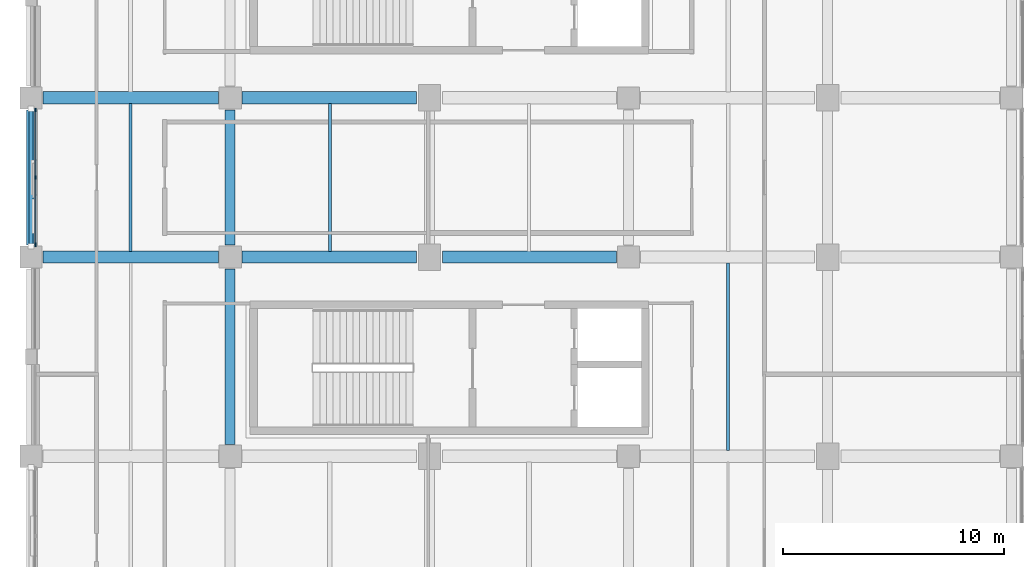
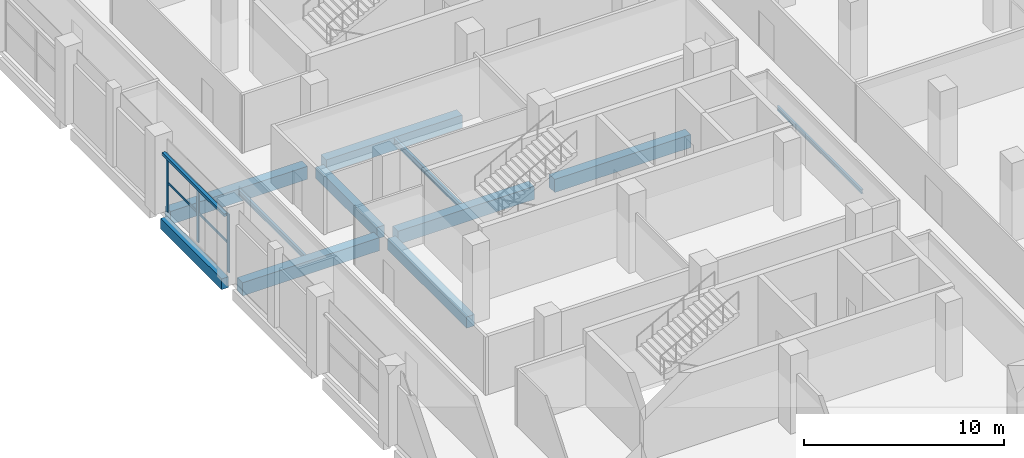
# One storey, part 14 of 111: 11 beams, 6 members, 1 element without a shape of its own.
"""IFC4 building model written with IfcOpenShell, lengths in metres."""

from ifc_helpers import new_model, si_unit, direction, frame, origin, origin_2d, place, context, subcontext, project, spatial, rectangle, hollow_rectangle, i_section, extrude, material, material_profile, profile_set, type_object, element, aggregate, save


model = new_model("IFC4")

# Units and contexts
model_context = context("Model", 3, precision=1e-05, world=origin(), true_north=direction((0.0, 1.0)))
body_context = subcontext(model_context, "Body", "Model", "MODEL_VIEW")
ifc_project = project(units=[si_unit("LENGTHUNIT", "METRE"), si_unit("AREAUNIT", "SQUARE_METRE"), si_unit("VOLUMEUNIT", "CUBIC_METRE"), si_unit("PLANEANGLEUNIT", "RADIAN"), si_unit("MASSUNIT", "GRAM", prefix="KILO"), si_unit("THERMODYNAMICTEMPERATUREUNIT", "KELVIN"), si_unit("POWERUNIT", "WATT")], contexts=[model_context])

# Site, building, storey
site_placement = place(None, origin())
site = spatial("IfcSite", under=ifc_project, at=site_placement, CompositionType="ELEMENT")
building_placement = place(site_placement, origin())
building = spatial("IfcBuilding", under=site, at=building_placement, Name="Sindhuravela Promenade Stadium", CompositionType="ELEMENT")
storey_placement = place(building_placement, frame((0.0, 0.0, 9.60009765625)))
storey = spatial("IfcBuildingStorey", under=building, at=storey_placement, Name="L02", CompositionType="ELEMENT", Elevation=9.60009765625)

# Curtain wall, members
ifc_material_1 = material(Name="Anodised architectural aluminium 6063-T6", Category="aluminium")
curtain_wall_type = type_object("IfcCurtainWallType", Name="CW-MOD-1", PredefinedType="NOTDEFINED", material=ifc_material_1)
curtain_wall_placement = place(storey_placement, origin())
curtain_wall = element("IfcCurtainWall", 1, at=curtain_wall_placement, inside=storey, type_object=curtain_wall_type, Name="Bronze curtain wall CW-WEST-L02-008", PredefinedType="NOTDEFINED")
ifc_material_profile_1 = material_profile(ifc_material_1, rectangle(XDim=0.06005859375, YDim=0.179931640625, at=origin_2d()), Name="ALU M60x180")
ifc_profile_set_1 = profile_set([ifc_material_profile_1], Name="Anodised architectural aluminium 6063-T6")
member_type_1 = type_object("IfcMemberType", Name="CW-MUL-3", PredefinedType="MULLION", material=ifc_profile_set_1)
member_1_placement = place(storey_placement, frame((0.199951171875, 77.949951171875, 0.0), z_axis=(0.0, 0.0, 1.0), x_axis=(1.0, 0.0, 0.0)))
member_1 = element("IfcMember", 2, at=member_1_placement, type_object=member_type_1, Name="Curtain wall mullion CW-WEST-L02-008-M1", PredefinedType="MULLION", context=body_context, shape_type="SweptSolid", body=[
    extrude(rectangle(XDim=0.06005859375, YDim=0.179931640625, at=origin_2d()), origin(), (0.0, 0.0, 1.0), 3.579833984375),
])
member_2_placement = place(storey_placement, frame((0.199951171875, 81.0, 0.0), z_axis=(0.0, 0.0, 1.0), x_axis=(1.0, 0.0, 0.0)))
member_2 = element("IfcMember", 3, at=member_2_placement, type_object=member_type_1, Name="Curtain wall mullion CW-WEST-L02-008-M2", PredefinedType="MULLION", context=body_context, shape_type="SweptSolid", body=[
    extrude(rectangle(XDim=0.06005859375, YDim=0.179931640625, at=origin_2d()), origin(), (0.0, 0.0, 1.0), 3.579833984375),
])
member_3_placement = place(storey_placement, frame((0.199951171875, 84.050048828125, 0.0), z_axis=(0.0, 0.0, 1.0), x_axis=(1.0, 0.0, 0.0)))
member_3 = element("IfcMember", 4, at=member_3_placement, type_object=member_type_1, Name="Curtain wall mullion CW-WEST-L02-008-M3", PredefinedType="MULLION", context=body_context, shape_type="SweptSolid", body=[
    extrude(rectangle(XDim=0.06005859375, YDim=0.179931640625, at=origin_2d()), origin(), (0.0, 0.0, 1.0), 3.579833984375),
])
ifc_material_profile_2 = material_profile(ifc_material_1, rectangle(XDim=0.06005859375, YDim=0.1298828125, at=origin_2d()), Name="ALU T60x130")
ifc_profile_set_2 = profile_set([ifc_material_profile_2], Name="Anodised architectural aluminium 6063-T6")
member_type_2 = type_object("IfcMemberType", Name="CW-TRN-3", PredefinedType="USERDEFINED", material=ifc_profile_set_2)
member_4_placement = place(storey_placement, frame((0.199951171875, 77.925048828125, 1.789794921875), z_axis=(0.0, 1.0, 0.0), x_axis=(-1.0, 0.0, 0.0)))
member_4 = element("IfcMember", 5, at=member_4_placement, type_object=member_type_2, Name="Curtain wall transom CW-WEST-L02-008-T1", ObjectType="TRANSOM", PredefinedType="USERDEFINED", context=body_context, shape_type="SweptSolid", body=[
    extrude(rectangle(XDim=0.06005859375, YDim=0.1298828125, at=origin_2d()), origin(), (0.0, 0.0, 1.0), 6.14990234375),
])
member_5_placement = place(storey_placement, frame((0.199951171875, 77.925048828125, 3.5), z_axis=(0.0, 1.0, 0.0), x_axis=(-1.0, 0.0, 0.0)))
member_5 = element("IfcMember", 6, at=member_5_placement, type_object=member_type_2, Name="Curtain wall transom CW-WEST-L02-008-T2", ObjectType="TRANSOM", PredefinedType="USERDEFINED", context=body_context, shape_type="SweptSolid", body=[
    extrude(rectangle(XDim=0.06005859375, YDim=0.1298828125, at=origin_2d()), origin(), (0.0, 0.0, 1.0), 6.14990234375),
])
aggregate(curtain_wall, [member_1, member_2, member_3, member_4, member_5])

# Beams
ifc_material_2 = material(Name="Concrete M40", Category="concrete")
ifc_material_profile_3 = material_profile(ifc_material_2, rectangle(XDim=0.39990234375, YDim=0.64990234375, at=origin_2d()), Name="RC 400x650")
ifc_profile_set_3 = profile_set([ifc_material_profile_3], Name="Concrete M40")
beam_type_1 = type_object("IfcBeamType", Name="RC-BM-400x650", PredefinedType="SPANDREL", material=ifc_profile_set_3)
beam_1_placement = place(storey_placement, frame((0.0, 77.93994140625, -0.60498046875), z_axis=(0.0, 1.0, 0.0), x_axis=(-1.0, 0.0, 0.0)))
element("IfcBeam", 7, at=beam_1_placement, inside=storey, type_object=beam_type_1, Name="Primary beam SP01 WEST L02", PredefinedType="SPANDREL", context=body_context, shape_type="SweptSolid", body=[
    extrude(rectangle(XDim=0.39990234375, YDim=0.64990234375, at=origin_2d()), origin(), (0.0, 0.0, 1.0), 6.1201171875),
])
ifc_material_profile_4 = material_profile(ifc_material_2, rectangle(XDim=0.449951171875, YDim=0.699951171875, at=origin_2d()), Name="RC 450x700")
ifc_profile_set_4 = profile_set([ifc_material_profile_4], Name="Concrete M40")
beam_type_2 = type_object("IfcBeamType", Name="RC-BM-450x700", PredefinedType="BEAM", material=ifc_profile_set_4)
beam_2_placement = place(storey_placement, frame((9.0, 68.93994140625, -0.630126953125), z_axis=(0.0, 1.0, 0.0), x_axis=(-1.0, 0.0, 0.0)))
element("IfcBeam", 8, at=beam_2_placement, inside=storey, type_object=beam_type_2, Name="Primary beam GB07 WEST L02", PredefinedType="BEAM", context=body_context, shape_type="SweptSolid", body=[
    extrude(rectangle(XDim=0.449951171875, YDim=0.699951171875, at=origin_2d()), origin(), (0.0, 0.0, 1.0), 7.920166015625),
])
beam_3_placement = place(storey_placement, frame((9.0, 77.93994140625, -0.630126953125), z_axis=(0.0, 1.0, 0.0), x_axis=(-1.0, 0.0, 0.0)))
element("IfcBeam", 9, at=beam_3_placement, inside=storey, type_object=beam_type_2, Name="Primary beam GB07 WEST L02", PredefinedType="BEAM", context=body_context, shape_type="SweptSolid", body=[
    extrude(rectangle(XDim=0.449951171875, YDim=0.699951171875, at=origin_2d()), origin(), (0.0, 0.0, 1.0), 6.1201171875),
])
ifc_material_profile_5 = material_profile(ifc_material_2, rectangle(XDim=0.550048828125, YDim=0.800048828125, at=origin_2d()), Name="RC 550x800")
ifc_profile_set_5 = profile_set([ifc_material_profile_5], Name="Concrete M40")
beam_type_3 = type_object("IfcBeamType", Name="RC-BM-550x800", PredefinedType="BEAM", material=ifc_profile_set_5)
beam_4_placement = place(storey_placement, frame((0.5400390625, 77.39990234375, -0.68017578125), z_axis=(1.0, 0.0, 0.0), x_axis=(0.0, 1.0, 0.0)))
element("IfcBeam", 10, at=beam_4_placement, inside=storey, type_object=beam_type_3, Name="Primary girder GB05 WEST L02", PredefinedType="BEAM", context=body_context, shape_type="SweptSolid", body=[
    extrude(rectangle(XDim=0.550048828125, YDim=0.800048828125, at=origin_2d()), origin(), (0.0, 0.0, 1.0), 7.919921875),
])
for number, where, z_axis, x_axis, name in (
    (11, (9.5400390625, 77.39990234375, -0.68017578125), (1.0, 0.0, 0.0), (0.0, 1.0, 0.0), "Primary girder GB05 WEST L02"),
    (12, (18.590087890625, 77.39990234375, -0.68017578125), (1.0, 0.0, 0.0), (0.0, 1.0, 0.0), "Primary girder GB05 WEST L02"),
):
    element("IfcBeam", number, at=place(storey_placement, frame(where, z_axis=z_axis, x_axis=x_axis)), inside=storey, type_object=beam_type_3, Name=name, PredefinedType="BEAM", context=body_context, shape_type="SweptSolid", body=[
        extrude(rectangle(XDim=0.550048828125, YDim=0.800048828125, at=origin_2d()), origin(), (0.0, 0.0, 1.0), 7.869873046875),
    ])
beam_5_placement = place(storey_placement, frame((0.5400390625, 84.60009765625, -0.68017578125), z_axis=(1.0, 0.0, 0.0), x_axis=(0.0, 1.0, 0.0)))
element("IfcBeam", 13, at=beam_5_placement, inside=storey, type_object=beam_type_3, Name="Primary girder GB05 WEST L02", PredefinedType="BEAM", context=body_context, shape_type="SweptSolid", body=[
    extrude(rectangle(XDim=0.550048828125, YDim=0.800048828125, at=origin_2d()), origin(), (0.0, 0.0, 1.0), 7.919921875),
])
beam_6_placement = place(storey_placement, frame((9.5400390625, 84.60009765625, -0.68017578125), z_axis=(1.0, 0.0, 0.0), x_axis=(0.0, 1.0, 0.0)))
element("IfcBeam", 14, at=beam_6_placement, inside=storey, type_object=beam_type_3, Name="Primary girder GB05 WEST L02", PredefinedType="BEAM", context=body_context, shape_type="SweptSolid", body=[
    extrude(rectangle(XDim=0.550048828125, YDim=0.800048828125, at=origin_2d()), origin(), (0.0, 0.0, 1.0), 7.869873046875),
])
ifc_material_3 = material(Name="Steel E350 (IS 2062 E350BR)", Category="steel")
ifc_material_profile_6 = material_profile(ifc_material_3, i_section(OverallWidth=0.125, OverallDepth=0.25, WebThickness=0.0068359375, FlangeThickness=0.012451171875, FilletRadius=0.012939453125, at=origin_2d()), Name="ISMB 250")
ifc_profile_set_6 = profile_set([ifc_material_profile_6], Name="Steel E350 (IS 2062 E350BR)")
beam_type_4 = type_object("IfcBeamType", Name="ST-BM-MB250", PredefinedType="JOIST", material=ifc_profile_set_6)
beam_7_placement = place(storey_placement, frame((31.5, 68.6650390625, -0.405029296875), z_axis=(0.0, 1.0, 0.0), x_axis=(-1.0, 0.0, 0.0)))
element("IfcBeam", 15, at=beam_7_placement, inside=storey, type_object=beam_type_4, Name="Secondary floor joist SB02 WEST L02", PredefinedType="JOIST", context=body_context, shape_type="SweptSolid", body=[
    extrude(i_section(OverallWidth=0.125, OverallDepth=0.25, WebThickness=0.0068359375, FlangeThickness=0.012451171875, FilletRadius=0.012939453125, at=origin_2d()), origin(), (0.0, 0.0, 1.0), 8.469970703125),
])
ifc_material_profile_7 = material_profile(ifc_material_3, i_section(OverallWidth=0.139892578125, OverallDepth=0.300048828125, WebThickness=0.0078125, FlangeThickness=0.01318359375, FilletRadius=0.013916015625, at=origin_2d()), Name="ISMB 300")
ifc_profile_set_7 = profile_set([ifc_material_profile_7], Name="Steel E350 (IS 2062 E350BR)")
beam_type_5 = type_object("IfcBeamType", Name="ST-BM-MB300", PredefinedType="JOIST", material=ifc_profile_set_7)
beam_8_placement = place(storey_placement, frame((4.5, 77.6650390625, -0.43017578125), z_axis=(0.0, 1.0, 0.0), x_axis=(-1.0, 0.0, 0.0)))
element("IfcBeam", 16, at=beam_8_placement, inside=storey, type_object=beam_type_5, Name="Secondary floor joist SB03 WEST L02", PredefinedType="JOIST", context=body_context, shape_type="SweptSolid", body=[
    extrude(i_section(OverallWidth=0.139892578125, OverallDepth=0.300048828125, WebThickness=0.0078125, FlangeThickness=0.01318359375, FilletRadius=0.013916015625, at=origin_2d()), origin(), (0.0, 0.0, 1.0), 6.669921875),
])
ifc_material_profile_8 = material_profile(ifc_material_3, i_section(OverallWidth=0.139892578125, OverallDepth=0.35009765625, WebThickness=0.008056640625, FlangeThickness=0.01416015625, FilletRadius=0.013916015625, at=origin_2d()), Name="ISMB 350")
ifc_profile_set_8 = profile_set([ifc_material_profile_8], Name="Steel E350 (IS 2062 E350BR)")
beam_type_6 = type_object("IfcBeamType", Name="ST-BM-MB350", PredefinedType="JOIST", material=ifc_profile_set_8)
beam_9_placement = place(storey_placement, frame((13.5, 77.6650390625, -0.455078125), z_axis=(0.0, 1.0, 0.0), x_axis=(-1.0, 0.0, 0.0)))
element("IfcBeam", 17, at=beam_9_placement, inside=storey, type_object=beam_type_6, Name="Secondary floor joist SB04 WEST L02", PredefinedType="JOIST", context=body_context, shape_type="SweptSolid", body=[
    extrude(i_section(OverallWidth=0.139892578125, OverallDepth=0.35009765625, WebThickness=0.008056640625, FlangeThickness=0.01416015625, FilletRadius=0.013916015625, at=origin_2d()), origin(), (0.0, 0.0, 1.0), 6.669921875),
])

# Member
ifc_material_profile_9 = material_profile(ifc_material_3, hollow_rectangle(XDim=0.179931640625, YDim=0.179931640625, WallThickness=0.010009765625, at=origin_2d()), Name="SHS 180x180x10")
ifc_profile_set_9 = profile_set([ifc_material_profile_9], Name="Steel E350 (IS 2062 E350BR)")
member_type_3 = type_object("IfcMemberType", Name="ST-MB-SHS180", PredefinedType="BRACE", material=ifc_profile_set_9)
member_6_placement = place(storey_placement, frame((0.0, 77.89208984375, 3.599853515625), z_axis=(0.0, 1.0, 0.0), x_axis=(-1.0, 0.0, 0.0)))
element("IfcMember", 18, at=member_6_placement, inside=storey, type_object=member_type_3, Name="Portal tie member MB02-3", PredefinedType="BRACE", context=body_context, shape_type="SweptSolid", body=[
    extrude(hollow_rectangle(XDim=0.179931640625, YDim=0.179931640625, WallThickness=0.010009765625, at=origin_2d()), origin(), (0.0, 0.0, 1.0), 6.2158203125),
])

save(model, "model.ifc")
